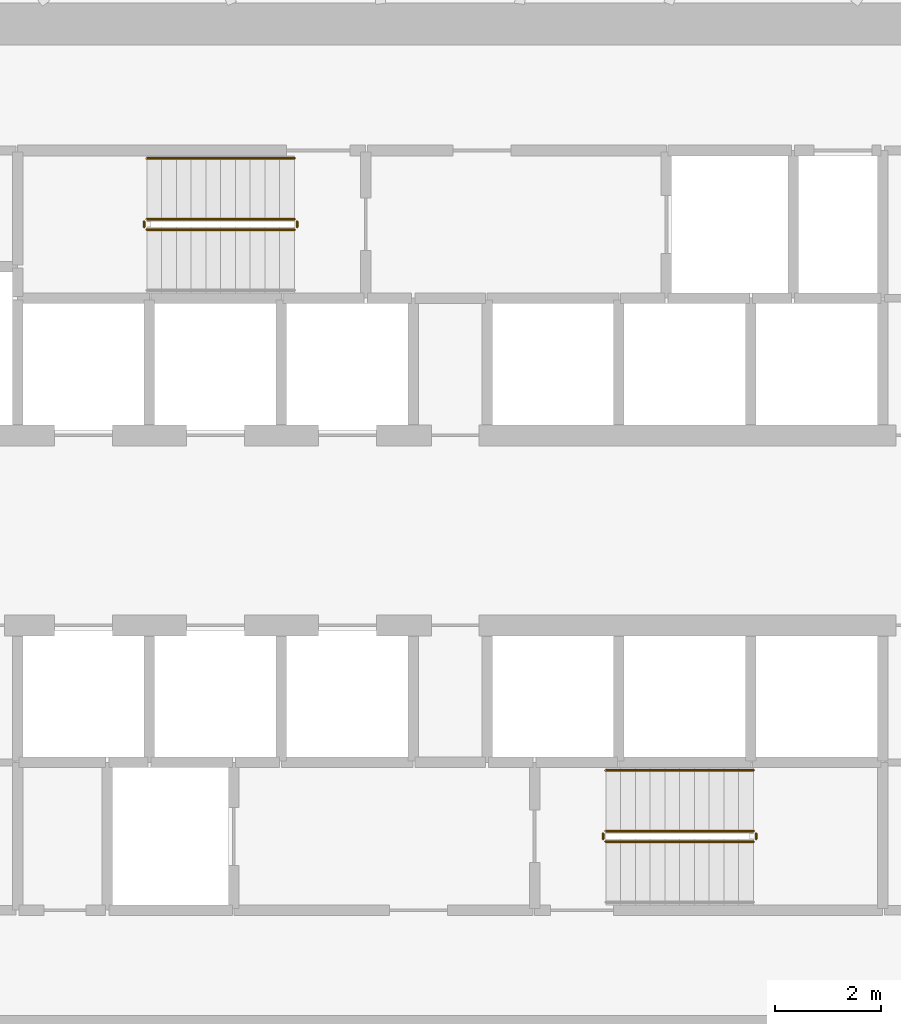
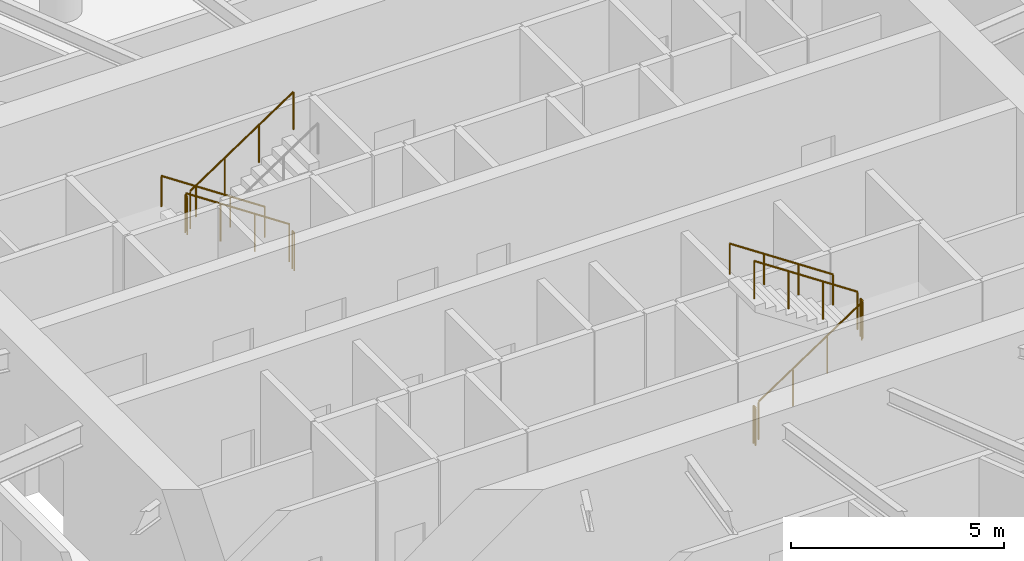
# One storey, part 16 of 17: 10 railings.
"""IFC4 building model written with IfcOpenShell, lengths in metres."""

from ifc_helpers import new_model, si_unit, direction, frame, origin, origin_2d, place, context, subcontext, project, spatial, circle, extrude, material, type_object, element, save


model = new_model("IFC4")

# Units and contexts
model_context = context("Model", 3, precision=1e-05, world=origin(), true_north=direction((0.0, 1.0)))
body_context = subcontext(model_context, "Body", "Model", "MODEL_VIEW")
ifc_project = project(units=[si_unit("LENGTHUNIT", "METRE"), si_unit("AREAUNIT", "SQUARE_METRE"), si_unit("VOLUMEUNIT", "CUBIC_METRE"), si_unit("PLANEANGLEUNIT", "RADIAN"), si_unit("MASSUNIT", "GRAM", prefix="KILO")], contexts=[model_context])

# Site, building, storey
site_placement = place(None, origin())
site = spatial("IfcSite", under=ifc_project, at=site_placement, CompositionType="ELEMENT")
building_placement = place(site_placement, origin())
building = spatial("IfcBuilding", under=site, at=building_placement, Name="Spindrift Exchange Tower", CompositionType="ELEMENT")
storey_placement = place(building_placement, frame((0.0, 0.0, 100.300048828125)))
storey = spatial("IfcBuildingStorey", under=building, at=storey_placement, Name="L23", CompositionType="ELEMENT", Elevation=100.300048828125)

# Railings
ifc_material_1 = material(Name="Steel balustrade", Category="steel")
railing_type_1 = type_object("IfcRailingType", Name="RL-STAIR-GUARD", PredefinedType="GUARDRAIL", material=ifc_material_1)
railing_1_placement = place(storey_placement, frame((49.050048828125, 53.89990234375, 0.186279296875)))
element("IfcRailing", 1, at=railing_1_placement, inside=storey, type_object=railing_type_1, Name="L23 ST1 stair guard 1", PredefinedType="GUARDRAIL", context=body_context, shape_type="SweptSolid", body=[
    extrude(circle(Radius=0.02392578125, at=origin_2d()), frame((0.0, 0.0, 1.076171875), z_axis=(-0.832452072856, 0.0, 0.554097055034), x_axis=(0.0, -1.0, 0.0)), (0.0, 0.0, 1.0), 3.363525390625),
    extrude(circle(Radius=0.02099609375, at=origin_2d()), origin(), (0.0, 0.0, 1.0), 1.052001953125),
    extrude(circle(Radius=0.02099609375, at=origin_2d()), frame((-0.933349609375, 0.0, 0.621337890625)), (0.0, 0.0, 1.0), 1.052001953125),
    extrude(circle(Radius=0.02099609375, at=origin_2d()), frame((-1.86669921875, 0.0, 1.242431640625)), (0.0, 0.0, 1.0), 1.052001953125),
    extrude(circle(Radius=0.02099609375, at=origin_2d()), frame((-2.800048828125, 0.0, 1.86376953125)), (0.0, 0.0, 1.0), 1.052001953125),
])
railing_2_placement = place(storey_placement, frame((46.199951171875, 53.85009765625, 2.050048828125)))
element("IfcRailing", 2, at=railing_2_placement, inside=storey, type_object=railing_type_1, Name="L23 ST1 stair guard 2", PredefinedType="GUARDRAIL", context=body_context, shape_type="SweptSolid", body=[
    extrude(circle(Radius=0.02392578125, at=origin_2d()), frame((0.0, 0.0, 1.076171875), z_axis=(0.0, -1.0, 0.0), x_axis=(1.0, 0.0, 0.0)), (0.0, 0.0, 1.0), 0.10009765625),
    extrude(circle(Radius=0.02099609375, at=origin_2d()), origin(), (0.0, 0.0, 1.0), 1.052001953125),
    extrude(circle(Radius=0.02099609375, at=origin_2d()), frame((0.0, -0.10009765625, 0.0)), (0.0, 0.0, 1.0), 1.052001953125),
])
railing_3_placement = place(storey_placement, frame((46.25, 53.699951171875, 2.236328125)))
element("IfcRailing", 3, at=railing_3_placement, inside=storey, type_object=railing_type_1, Name="L23 ST1 stair guard 3", PredefinedType="GUARDRAIL", context=body_context, shape_type="SweptSolid", body=[
    extrude(circle(Radius=0.02392578125, at=origin_2d()), frame((0.0, 0.0, 1.076171875), z_axis=(0.832485552168, 0.0, 0.554046753832), x_axis=(0.0, 1.0, 0.0)), (0.0, 0.0, 1.0), 3.363525390625),
    extrude(circle(Radius=0.02099609375, at=origin_2d()), origin(), (0.0, 0.0, 1.0), 1.052001953125),
    extrude(circle(Radius=0.02099609375, at=origin_2d()), frame((0.933349609375, 0.0, 0.62109375)), (0.0, 0.0, 1.0), 1.052001953125),
    extrude(circle(Radius=0.02099609375, at=origin_2d()), frame((1.86669921875, 0.0, 1.242431640625)), (0.0, 0.0, 1.0), 1.052001953125),
    extrude(circle(Radius=0.02099609375, at=origin_2d()), frame((2.800048828125, 0.0, 1.863525390625)), (0.0, 0.0, 1.0), 1.052001953125),
])
railing_4_placement = place(storey_placement, frame((49.10009765625, 53.85009765625, 0.0)))
element("IfcRailing", 4, at=railing_4_placement, inside=storey, type_object=railing_type_1, Name="L23 ST1 stair guard 4", PredefinedType="GUARDRAIL", context=body_context, shape_type="SweptSolid", body=[
    extrude(circle(Radius=0.02392578125, at=origin_2d()), frame((0.0, 0.0, 1.076171875), z_axis=(0.0, -1.0, 0.0), x_axis=(1.0, 0.0, 0.0)), (0.0, 0.0, 1.0), 0.10009765625),
    extrude(circle(Radius=0.02099609375, at=origin_2d()), origin(), (0.0, 0.0, 1.0), 1.052001953125),
    extrude(circle(Radius=0.02099609375, at=origin_2d()), frame((0.0, -0.10009765625, 0.0)), (0.0, 0.0, 1.0), 1.052001953125),
])
railing_5_placement = place(storey_placement, frame((54.949951171875, 42.10009765625, 0.186279296875)))
element("IfcRailing", 5, at=railing_5_placement, inside=storey, type_object=railing_type_1, Name="L23 ST2 stair guard 1", PredefinedType="GUARDRAIL", context=body_context, shape_type="SweptSolid", body=[
    extrude(circle(Radius=0.02392578125, at=origin_2d()), frame((0.0, 0.0, 1.076171875), z_axis=(0.832452072856, 0.0, 0.554097055034), x_axis=(0.0, 1.0, 0.0)), (0.0, 0.0, 1.0), 3.363525390625),
    extrude(circle(Radius=0.02099609375, at=origin_2d()), origin(), (0.0, 0.0, 1.0), 1.052001953125),
    extrude(circle(Radius=0.02099609375, at=origin_2d()), frame((0.933349609375, 0.0, 0.621337890625)), (0.0, 0.0, 1.0), 1.052001953125),
    extrude(circle(Radius=0.02099609375, at=origin_2d()), frame((1.86669921875, 0.0, 1.242431640625)), (0.0, 0.0, 1.0), 1.052001953125),
    extrude(circle(Radius=0.02099609375, at=origin_2d()), frame((2.800048828125, 0.0, 1.86376953125)), (0.0, 0.0, 1.0), 1.052001953125),
])
railing_6_placement = place(storey_placement, frame((57.800048828125, 42.14990234375, 2.050048828125)))
element("IfcRailing", 6, at=railing_6_placement, inside=storey, type_object=railing_type_1, Name="L23 ST2 stair guard 2", PredefinedType="GUARDRAIL", context=body_context, shape_type="SweptSolid", body=[
    extrude(circle(Radius=0.02392578125, at=origin_2d()), frame((0.0, 0.0, 1.076171875), z_axis=(0.0, 1.0, 0.0), x_axis=(-1.0, 0.0, 0.0)), (0.0, 0.0, 1.0), 0.10009765625),
    extrude(circle(Radius=0.02099609375, at=origin_2d()), origin(), (0.0, 0.0, 1.0), 1.052001953125),
    extrude(circle(Radius=0.02099609375, at=origin_2d()), frame((0.0, 0.10009765625, 0.0)), (0.0, 0.0, 1.0), 1.052001953125),
])
railing_7_placement = place(storey_placement, frame((57.75, 42.300048828125, 2.236328125)))
element("IfcRailing", 7, at=railing_7_placement, inside=storey, type_object=railing_type_1, Name="L23 ST2 stair guard 3", PredefinedType="GUARDRAIL", context=body_context, shape_type="SweptSolid", body=[
    extrude(circle(Radius=0.02392578125, at=origin_2d()), frame((0.0, 0.0, 1.076171875), z_axis=(-0.832485552168, 0.0, 0.554046753832), x_axis=(0.0, -1.0, 0.0)), (0.0, 0.0, 1.0), 3.363525390625),
    extrude(circle(Radius=0.02099609375, at=origin_2d()), origin(), (0.0, 0.0, 1.0), 1.052001953125),
    extrude(circle(Radius=0.02099609375, at=origin_2d()), frame((-0.933349609375, 0.0, 0.62109375)), (0.0, 0.0, 1.0), 1.052001953125),
    extrude(circle(Radius=0.02099609375, at=origin_2d()), frame((-1.86669921875, 0.0, 1.242431640625)), (0.0, 0.0, 1.0), 1.052001953125),
    extrude(circle(Radius=0.02099609375, at=origin_2d()), frame((-2.800048828125, 0.0, 1.863525390625)), (0.0, 0.0, 1.0), 1.052001953125),
])
railing_8_placement = place(storey_placement, frame((54.89990234375, 42.14990234375, 0.0)))
element("IfcRailing", 8, at=railing_8_placement, inside=storey, type_object=railing_type_1, Name="L23 ST2 stair guard 4", PredefinedType="GUARDRAIL", context=body_context, shape_type="SweptSolid", body=[
    extrude(circle(Radius=0.02392578125, at=origin_2d()), frame((0.0, 0.0, 1.076171875), z_axis=(0.0, 1.0, 0.0), x_axis=(-1.0, 0.0, 0.0)), (0.0, 0.0, 1.0), 0.10009765625),
    extrude(circle(Radius=0.02099609375, at=origin_2d()), origin(), (0.0, 0.0, 1.0), 1.052001953125),
    extrude(circle(Radius=0.02099609375, at=origin_2d()), frame((0.0, 0.10009765625, 0.0)), (0.0, 0.0, 1.0), 1.052001953125),
])
ifc_material_2 = material(Name="Steel tubular handrail", Category="steel")
railing_type_2 = type_object("IfcRailingType", Name="RL-STAIR-HAND", PredefinedType="HANDRAIL", material=ifc_material_2)
railing_9_placement = place(storey_placement, frame((49.050048828125, 55.050048828125, 0.186279296875)))
element("IfcRailing", 9, at=railing_9_placement, inside=storey, type_object=railing_type_2, Name="L23 ST1 stair handrail 1", PredefinedType="HANDRAIL", context=body_context, shape_type="SweptSolid", body=[
    extrude(circle(Radius=0.02392578125, at=origin_2d()), frame((0.0, 0.0, 0.8759765625), z_axis=(-0.832452072856, 0.0, 0.554097055034), x_axis=(0.0, -1.0, 0.0)), (0.0, 0.0, 1.0), 3.363525390625),
    extrude(circle(Radius=0.02099609375, at=origin_2d()), origin(), (0.0, 0.0, 1.0), 0.851806640625),
    extrude(circle(Radius=0.02099609375, at=origin_2d()), frame((-0.933349609375, 0.0, 0.621337890625)), (0.0, 0.0, 1.0), 0.851806640625),
    extrude(circle(Radius=0.02099609375, at=origin_2d()), frame((-1.86669921875, 0.0, 1.242431640625)), (0.0, 0.0, 1.0), 0.851806640625),
    extrude(circle(Radius=0.02099609375, at=origin_2d()), frame((-2.800048828125, 0.0, 1.86376953125)), (0.0, 0.0, 1.0), 0.851806640625),
])
railing_10_placement = place(storey_placement, frame((57.75, 43.449951171875, 2.236328125)))
element("IfcRailing", 10, at=railing_10_placement, inside=storey, type_object=railing_type_2, Name="L23 ST2 stair handrail 2", PredefinedType="HANDRAIL", context=body_context, shape_type="SweptSolid", body=[
    extrude(circle(Radius=0.02392578125, at=origin_2d()), frame((0.0, 0.0, 0.8759765625), z_axis=(-0.832485552168, 0.0, 0.554046753832), x_axis=(0.0, -1.0, 0.0)), (0.0, 0.0, 1.0), 3.363525390625),
    extrude(circle(Radius=0.02099609375, at=origin_2d()), origin(), (0.0, 0.0, 1.0), 0.851806640625),
    extrude(circle(Radius=0.02099609375, at=origin_2d()), frame((-0.933349609375, 0.0, 0.62109375)), (0.0, 0.0, 1.0), 0.851806640625),
    extrude(circle(Radius=0.02099609375, at=origin_2d()), frame((-1.86669921875, 0.0, 1.242431640625)), (0.0, 0.0, 1.0), 0.851806640625),
    extrude(circle(Radius=0.02099609375, at=origin_2d()), frame((-2.800048828125, 0.0, 1.863525390625)), (0.0, 0.0, 1.0), 0.851806640625),
])

save(model, "model.ifc")
